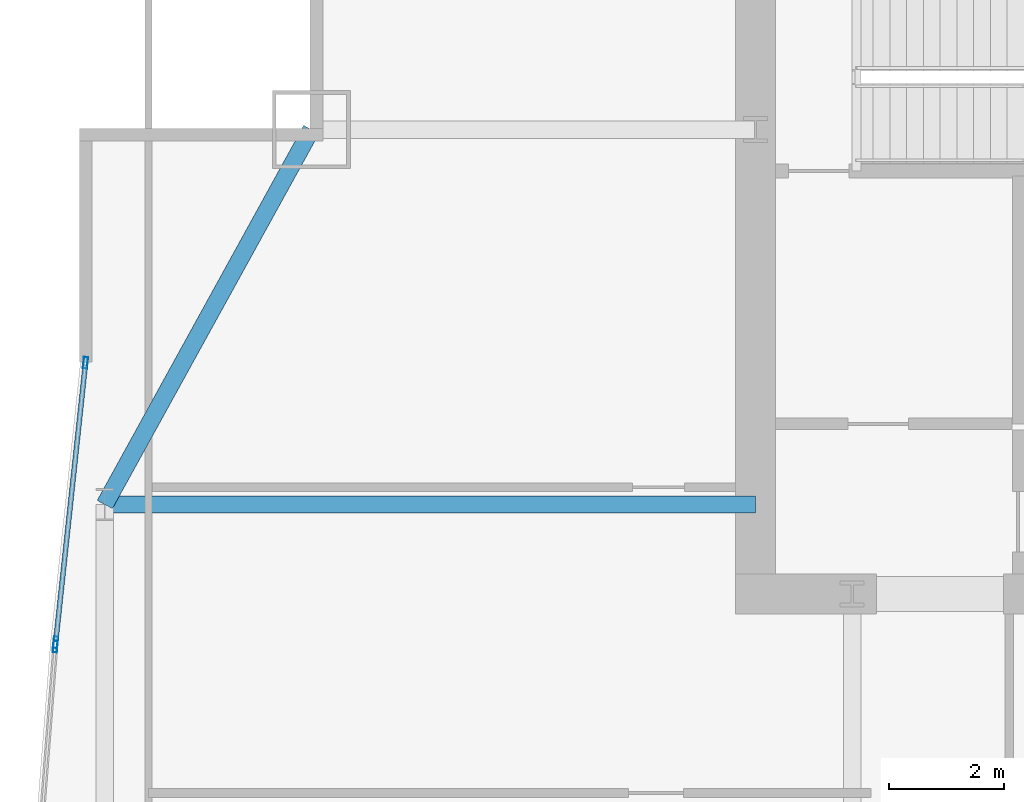
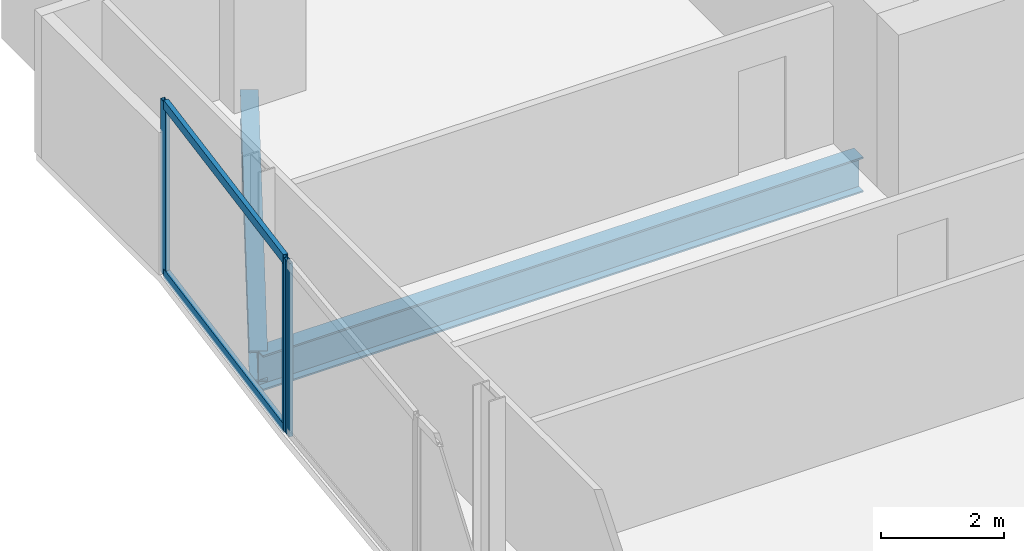
# One storey, part 17 of 29: 5 members, 2 beams, 2 elements without a shape of their own.
"""IFC4 building model written with IfcOpenShell, lengths in metres."""

from ifc_helpers import new_model, si_unit, direction, frame, origin, origin_2d, place, context, subcontext, project, spatial, hollow_rectangle, i_section, extrude, material, material_profile, profile_set, type_object, element, aggregate, save


model = new_model("IFC4")

# Units and contexts
model_context = context("Model", 3, precision=1e-05, world=origin(), true_north=direction((0.0, 1.0)))
body_context = subcontext(model_context, "Body", "Model", "MODEL_VIEW")
ifc_project = project(units=[si_unit("LENGTHUNIT", "METRE"), si_unit("AREAUNIT", "SQUARE_METRE"), si_unit("VOLUMEUNIT", "CUBIC_METRE"), si_unit("PLANEANGLEUNIT", "RADIAN"), si_unit("MASSUNIT", "GRAM", prefix="KILO")], contexts=[model_context])

# Site, building, storey
site_placement = place(None, origin())
site = spatial("IfcSite", under=ifc_project, at=site_placement, CompositionType="ELEMENT")
building_placement = place(site_placement, origin())
building = spatial("IfcBuilding", under=site, at=building_placement, Name="Khoronbel Lancet Exchange", CompositionType="ELEMENT")
storey_placement = place(building_placement, frame((0.0, 0.0, 139.800048828125)))
storey = spatial("IfcBuildingStorey", under=building, at=storey_placement, Name="L34", CompositionType="ELEMENT", Elevation=139.800048828125)

# Beams
ifc_material_1 = material(Name="Steel S355", Category="steel")
ifc_material_profile_1 = material_profile(ifc_material_1, i_section(OverallWidth=0.300048828125, OverallDepth=0.699951171875, WebThickness=0.01708984375, FlangeThickness=0.031982421875, at=origin_2d()), Name="HEB 700")
ifc_profile_set_1 = profile_set([ifc_material_profile_1], Name="Steel S355")
beam_type_1 = type_object("IfcBeamType", Name="BM-BG3", PredefinedType="BEAM", material=ifc_profile_set_1)
beam_1_placement = place(storey_placement, frame((5.27001953125, 43.199951171875, -0.510009765625), z_axis=(1.0, 0.0, 0.0), x_axis=(0.0, 1.0, 0.0)))
element("IfcBeam", 1, at=beam_1_placement, inside=storey, type_object=beam_type_1, Name="Level L34 west lens tie girder LG3W", PredefinedType="BEAM", context=body_context, shape_type="SweptSolid", body=[
    extrude(i_section(OverallWidth=0.300048828125, OverallDepth=0.699951171875, WebThickness=0.01708984375, FlangeThickness=0.031982421875, at=origin_2d()), origin(), (0.0, 0.0, 1.0), 11.280029296875),
])
ifc_material_profile_2 = material_profile(ifc_material_1, i_section(OverallWidth=0.300048828125, OverallDepth=0.60009765625, WebThickness=0.015380859375, FlangeThickness=0.030029296875, at=origin_2d()), Name="HEB 600")
ifc_profile_set_2 = profile_set([ifc_material_profile_2], Name="Steel S355")
beam_type_2 = type_object("IfcBeamType", Name="BM-BSP2", PredefinedType="SPANDREL", material=ifc_profile_set_2)
beam_2_placement = place(storey_placement, frame((8.85009765625, 49.699951171875, -0.4599609375), z_axis=(-0.482444051088, -0.875926787791, 0.0), x_axis=(0.875926787791, -0.482444051088, 0.0)))
element("IfcBeam", 2, at=beam_2_placement, inside=storey, type_object=beam_type_2, Name="Level L34 perimeter spandrel beam SP16", PredefinedType="SPANDREL", context=body_context, shape_type="SweptSolid", body=[
    extrude(i_section(OverallWidth=0.300048828125, OverallDepth=0.60009765625, WebThickness=0.015380859375, FlangeThickness=0.030029296875, at=origin_2d()), origin(), (0.0, 0.0, 1.0), 7.420654296875),
])

# Curtain wall, member
ifc_material_2 = material(Name="Low-E Solar Control Insulating Glass", Category="glass")
curtain_wall_type = type_object("IfcCurtainWallType", Name="CW-4", PredefinedType="NOTDEFINED", material=ifc_material_2)
curtain_wall_1_placement = place(storey_placement, origin())
curtain_wall_1 = element("IfcCurtainWall", 3, at=curtain_wall_1_placement, inside=storey, type_object=curtain_wall_type, Name="Unitised curtain wall CW-L34-E08", PredefinedType="NOTDEFINED")
ifc_material_3 = material(Name="Bronze-Anodised Aluminium 6063-T6", Category="aluminium")
ifc_material_profile_3 = material_profile(ifc_material_3, hollow_rectangle(XDim=0.074951171875, YDim=0.199951171875, WallThickness=0.0048828125, at=origin_2d()), Name="ALU MULLION 75x200")
ifc_profile_set_3 = profile_set([ifc_material_profile_3], Name="Bronze-Anodised Aluminium 6063-T6")
member_type_1 = type_object("IfcMemberType", Name="MEM-CWM2", PredefinedType="MULLION", material=ifc_profile_set_3)
member_1_placement = place(storey_placement, frame((4.41162109375, 40.737548828125, 0.0), z_axis=(0.0, 0.0, 1.0), x_axis=(-0.996959555693, 0.077920756627, 0.0)))
member_1 = element("IfcMember", 4, at=member_1_placement, type_object=member_type_1, Name="CW4 mullion 2", PredefinedType="MULLION", context=body_context, shape_type="SweptSolid", body=[
    extrude(hollow_rectangle(XDim=0.074951171875, YDim=0.199951171875, WallThickness=0.0048828125, at=origin_2d()), origin(), (0.0, 0.0, 1.0), 3.43994140625),
])
aggregate(curtain_wall_1, [member_1])

# Curtain wall, members
curtain_wall_2_placement = place(storey_placement, origin())
curtain_wall_2 = element("IfcCurtainWall", 5, at=curtain_wall_2_placement, inside=storey, type_object=curtain_wall_type, Name="Unitised curtain wall CW-L34-E09", PredefinedType="NOTDEFINED")
member_2_placement = place(storey_placement, frame((4.418701171875, 40.812255859375, 0.0), z_axis=(0.0, 0.0, 1.0), x_axis=(-0.994346859972, 0.106180610586, 0.0)))
member_2 = element("IfcMember", 6, at=member_2_placement, type_object=member_type_1, Name="CW4 mullion 1", PredefinedType="MULLION", context=body_context, shape_type="SweptSolid", body=[
    extrude(hollow_rectangle(XDim=0.074951171875, YDim=0.199951171875, WallThickness=0.0048828125, at=origin_2d()), origin(), (0.0, 0.0, 1.0), 3.43994140625),
])
member_3_placement = place(storey_placement, frame((4.93603515625, 45.657958984375, 0.0), z_axis=(0.0, 0.0, 1.0), x_axis=(-0.994346859972, 0.106180610586, 0.0)))
member_3 = element("IfcMember", 7, at=member_3_placement, type_object=member_type_1, Name="CW4 mullion 2", PredefinedType="MULLION", context=body_context, shape_type="SweptSolid", body=[
    extrude(hollow_rectangle(XDim=0.074951171875, YDim=0.199951171875, WallThickness=0.0048828125, at=origin_2d()), origin(), (0.0, 0.0, 1.0), 3.43994140625),
])
ifc_material_profile_4 = material_profile(ifc_material_3, hollow_rectangle(XDim=0.0849609375, YDim=0.179931640625, WallThickness=0.0048828125, at=origin_2d()), Name="ALU TRANSOM 85x180")
ifc_profile_set_4 = profile_set([ifc_material_profile_4], Name="Bronze-Anodised Aluminium 6063-T6")
member_type_2 = type_object("IfcMemberType", Name="MEM-CWT1", PredefinedType="USERDEFINED", material=ifc_profile_set_4)
member_4_placement = place(storey_placement, frame((4.422607421875, 40.849609375, 0.04248046875), z_axis=(0.106191761921, 0.994345669121, 0.0), x_axis=(-0.994345669121, 0.106191761921, 0.0)))
member_4 = element("IfcMember", 8, at=member_4_placement, type_object=member_type_2, Name="CW4 transom 1.1", ObjectType="TRANSOM", PredefinedType="USERDEFINED", context=body_context, shape_type="SweptSolid", body=[
    extrude(hollow_rectangle(XDim=0.0849609375, YDim=0.179931640625, WallThickness=0.0048828125, at=origin_2d()), origin(), (0.0, 0.0, 1.0), 4.798095703125),
])
member_5_placement = place(storey_placement, frame((4.422607421875, 40.849609375, 3.3974609375), z_axis=(0.106191761921, 0.994345669121, 0.0), x_axis=(-0.994345669121, 0.106191761921, 0.0)))
member_5 = element("IfcMember", 9, at=member_5_placement, type_object=member_type_2, Name="CW4 transom 1.2", ObjectType="TRANSOM", PredefinedType="USERDEFINED", context=body_context, shape_type="SweptSolid", body=[
    extrude(hollow_rectangle(XDim=0.0849609375, YDim=0.179931640625, WallThickness=0.0048828125, at=origin_2d()), origin(), (0.0, 0.0, 1.0), 4.798095703125),
])
aggregate(curtain_wall_2, [member_2, member_3, member_4, member_5])

save(model, "model.ifc")
